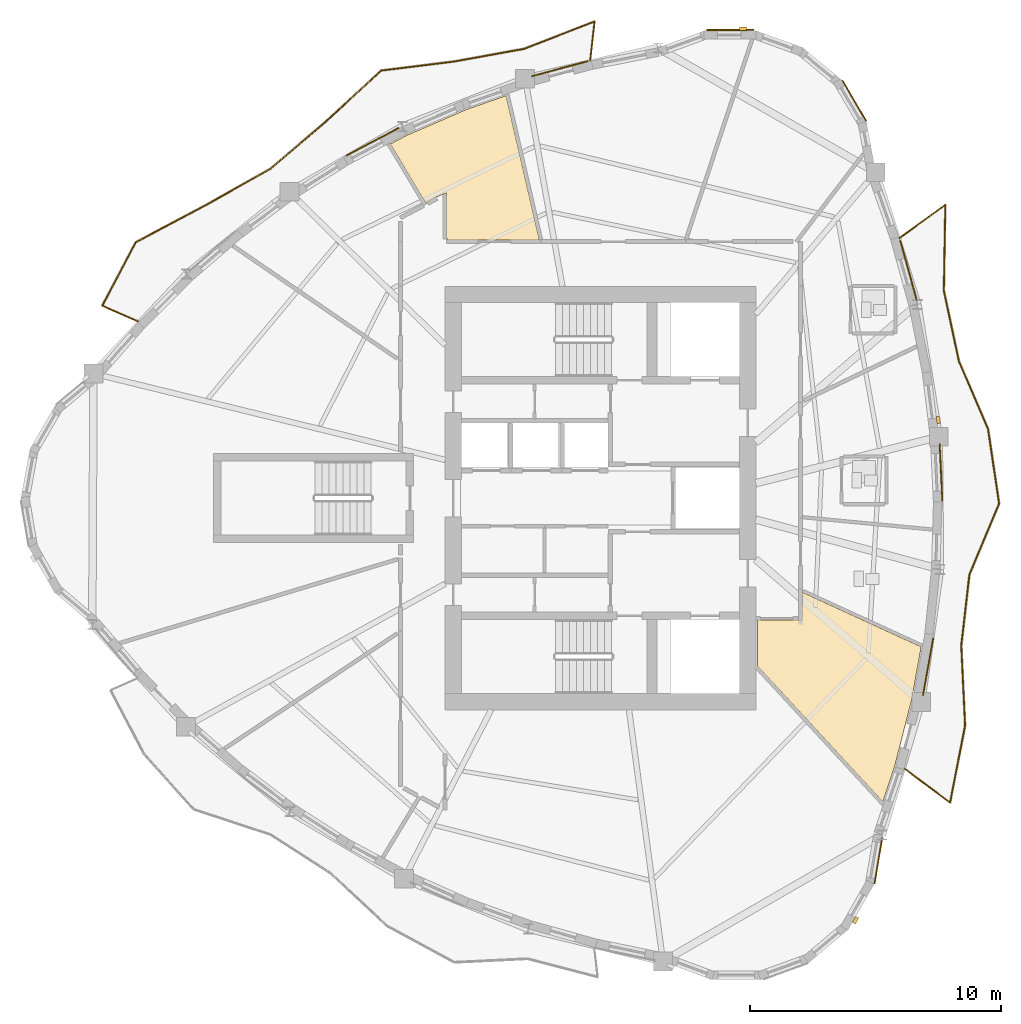
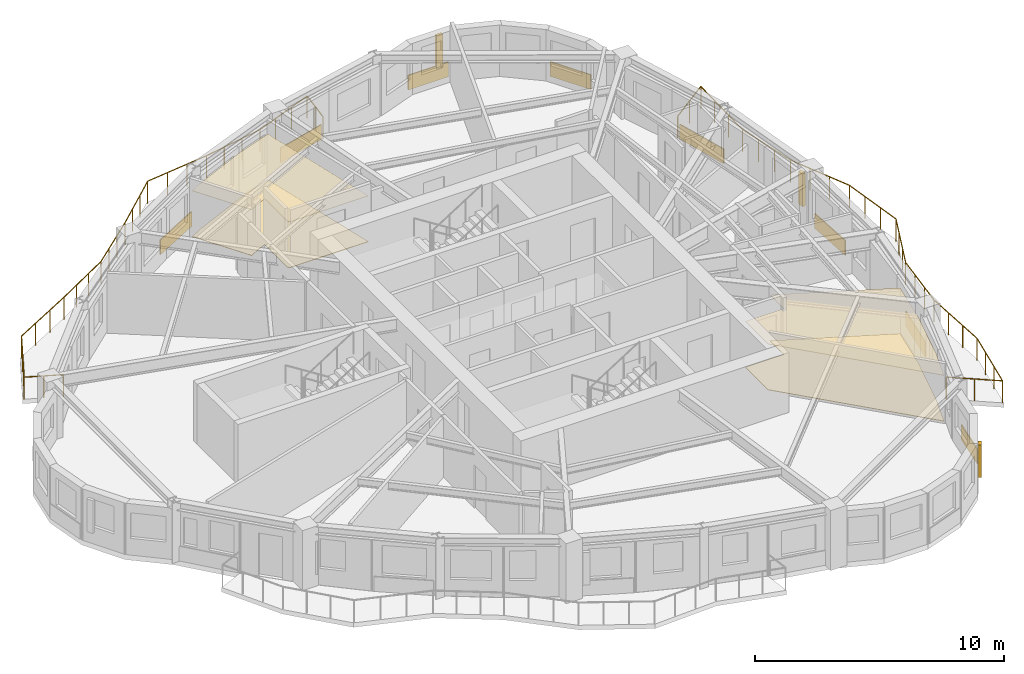
# One storey, part 11 of 12: 12 coverings, 3 shading devices, 2 railings.
"""IFC4 building model written with IfcOpenShell, lengths in metres."""

from ifc_helpers import new_model, si_unit, direction, frame, origin, origin_2d, place, context, subcontext, project, spatial, polyline, rectangle, circle, outline, extrude, source, transform, mapped, material, layer, layer_set, type_object, element, save


model = new_model("IFC4")

# Units and contexts
model_context = context("Model", 3, precision=1e-05, world=origin(), true_north=direction((0.0, 1.0)))
body_context = subcontext(model_context, "Body", "Model", "MODEL_VIEW")
ifc_project = project(units=[si_unit("LENGTHUNIT", "METRE"), si_unit("AREAUNIT", "SQUARE_METRE"), si_unit("VOLUMEUNIT", "CUBIC_METRE"), si_unit("PLANEANGLEUNIT", "RADIAN"), si_unit("MASSUNIT", "GRAM", prefix="KILO")], contexts=[model_context])

# Site, building, storey
site_placement = place(None, origin())
site = spatial("IfcSite", under=ifc_project, at=site_placement, CompositionType="ELEMENT")
building_placement = place(site_placement, origin())
building = spatial("IfcBuilding", under=site, at=building_placement, Name="Qafzar Sky-Pleat Residences", CompositionType="ELEMENT")
storey_placement = place(building_placement, frame((0.0, 0.0, 149.0)))
storey = spatial("IfcBuildingStorey", under=building, at=storey_placement, Name="L44", CompositionType="ELEMENT", Elevation=149.0)

# Coverings
ifc_material_1 = material(Name="Perforated acoustic gypsum board ceiling")
ifc_layer_1 = layer(ifc_material_1, 0.02001953125)
ifc_layer_set_1 = layer_set([ifc_layer_1], Name="Perforated acoustic gypsum board ceiling")
covering_type_1 = type_object("IfcCoveringType", Name="COV-CEIL-ACOUSTIC", PredefinedType="CEILING", material=ifc_layer_set_1)
covering_1_placement = place(storey_placement, frame((0.0, 0.0, 2.239990234375)))
element("IfcCovering", 1, at=covering_1_placement, inside=storey, type_object=covering_type_1, Name="L44 Communal Kitchen Acoustic Ceiling", PredefinedType="CEILING", context=body_context, shape_type="SweptSolid", body=[
    extrude(outline(polyline([(22.614013671875, 40.470703125), (24.9873046875, 41.50244140625), (26.584228515625, 42.059814453125), (27.9150390625, 36.2900390625), (24.2666015625, 36.2900390625), (24.2099609375, 36.384521484375), (24.2099609375, 38.1875), (23.797119140625, 38.008056640625), (23.373046875, 37.7841796875), (21.969970703125, 40.130615234375), (22.614013671875, 40.470703125)])), origin(), (0.0, 0.0, 1.0), 0.02001953125),
])
covering_2_placement = place(storey_placement, frame((0.0, 0.0, 2.239990234375)))
element("IfcCovering", 2, at=covering_2_placement, inside=storey, type_object=covering_type_1, Name="L44 Co-Living Lounge Acoustic Ceiling", PredefinedType="CEILING", context=body_context, shape_type="SweptSolid", body=[
    extrude(outline(polyline([(42.768798828125, 17.944580078125), (42.097900390625, 15.31982421875), (41.62109375, 13.880615234375), (36.610107421875, 19.30810546875), (36.610107421875, 21.139892578125), (38.389892578125, 21.139892578125), (38.389892578125, 22.246337890625), (43.150390625, 20.06298828125), (42.768798828125, 17.944580078125)])), origin(), (0.0, 0.0, 1.0), 0.02001953125),
])
ifc_material_2 = material(Name="Honed porcelain and Riyadh stone tile flooring", Category="masonry")
ifc_layer_2 = layer(ifc_material_2, 0.02001953125)
ifc_layer_set_2 = layer_set([ifc_layer_2], Name="Honed porcelain and Riyadh stone tile flooring")
covering_type_2 = type_object("IfcCoveringType", Name="COV-FLR-PORCELAIN", PredefinedType="FLOORING", material=ifc_layer_set_2)
covering_3_placement = place(storey_placement, origin())
element("IfcCovering", 3, at=covering_3_placement, inside=storey, type_object=covering_type_2, Name="L44 Communal Kitchen Honed Stone Flooring", PredefinedType="FLOORING", context=body_context, shape_type="SweptSolid", body=[
    extrude(outline(polyline([(22.614013671875, 40.470703125), (24.9873046875, 41.50244140625), (26.584228515625, 42.059814453125), (27.9150390625, 36.2900390625), (24.2666015625, 36.2900390625), (24.2099609375, 36.384521484375), (24.2099609375, 38.1875), (23.797119140625, 38.008056640625), (23.373046875, 37.7841796875), (21.969970703125, 40.130615234375), (22.614013671875, 40.470703125)])), origin(), (0.0, 0.0, 1.0), 0.02001953125),
])
covering_4_placement = place(storey_placement, origin())
element("IfcCovering", 4, at=covering_4_placement, inside=storey, type_object=covering_type_2, Name="L44 Co-Living Lounge Honed Stone Flooring", PredefinedType="FLOORING", context=body_context, shape_type="SweptSolid", body=[
    extrude(outline(polyline([(42.768798828125, 17.944580078125), (42.097900390625, 15.31982421875), (41.62109375, 13.880615234375), (36.610107421875, 19.30810546875), (36.610107421875, 21.139892578125), (38.389892578125, 21.139892578125), (38.389892578125, 22.246337890625), (43.150390625, 20.06298828125), (42.768798828125, 17.944580078125)])), origin(), (0.0, 0.0, 1.0), 0.02001953125),
])

# Shading devices
ifc_material_3 = material(Name="Honed Riyadh limestone solar fin", Category="masonry")
ifc_layer_3 = layer(ifc_material_3, 0.139892578125)
ifc_layer_set_3 = layer_set([ifc_layer_3], Name="Honed Riyadh limestone solar fin")
shading_device_type = type_object("IfcShadingDeviceType", Name="SHD-FIN-STONE", PredefinedType="SHUTTER", material=ifc_layer_set_3)
shared_shape_1 = source(origin(), body_context, "Body", "SweptSolid", [
    extrude(rectangle(XDim=0.139892578125, YDim=0.280029296875, at=origin_2d()), origin(), (0.0, 0.0, 1.0), 1.60009765625),
])
for number, where, z_axis, x_axis, name in (
    (5, (40.53369140625, 9.155517578125, 0.599853515625), (0.0, 0.0, 1.0), (0.868430786621, -0.495810416236, 0.0), "L44 Limestone Solar Fin 21"),
    (6, (43.834716796875, 29.11767578125, 0.599853515625), (0.0, 0.0, 1.0), (0.992425702068, 0.122846350678, 0.0), "L44 Limestone Solar Fin 29"),
    (7, (36.04345703125, 44.72509765625, 0.599853515625), (0.0, 0.0, 1.0), (-0.002443761091, 0.999997014011, 0.0), "L44 Limestone Solar Fin 37"),
):
    element("IfcShadingDevice", number, at=place(storey_placement, frame(where, z_axis=z_axis, x_axis=x_axis)), inside=storey, type_object=shading_device_type, Name=name, PredefinedType="SHUTTER", context=body_context, shape_type="MappedRepresentation", body=[
        mapped(shared_shape_1, transform((0.0, 0.0, 0.0), x_axis=(1.0, 0.0, 0.0), y_axis=(0.0, 1.0, 0.0), z_axis=(0.0, 0.0, 1.0), scale=1.0)),
    ])

# Coverings
ifc_material_4 = material(Name="Honed Riyadh Tuwaiq limestone cladding", Category="masonry")
ifc_layer_4 = layer(ifc_material_4, 0.044921875)
ifc_layer_set_4 = layer_set([ifc_layer_4], Name="Honed Riyadh Tuwaiq limestone cladding")
covering_type_3 = type_object("IfcCoveringType", Name="COV-CLAD-STONE", PredefinedType="CLADDING", material=ifc_layer_set_4)
shared_shape_2 = source(origin(), body_context, "Body", "SweptSolid", [
    extrude(rectangle(XDim=1.873046875, YDim=0.044921875, at=origin_2d()), origin(), (0.0, 0.0, 1.0), 0.719970703125),
])
for number, where, z_axis, x_axis, name in (
    (8, (40.484130859375, 41.849609375, 0.02001953125), (0.0, 0.0, 1.0), (-0.50623242321, 0.862397085855, 0.0), "L44 Riyadh Limestone Spandrel Cladding 34"),
    (9, (35.52490234375, 44.680908203125, 0.02001953125), (0.0, 0.0, 1.0), (-0.999996997227, -0.002450619708, 0.0), "L44 Riyadh Limestone Spandrel Cladding 37"),
):
    element("IfcCovering", number, at=place(storey_placement, frame(where, z_axis=z_axis, x_axis=x_axis)), inside=storey, type_object=covering_type_3, Name=name, PredefinedType="CLADDING", context=body_context, shape_type="MappedRepresentation", body=[
        mapped(shared_shape_2, transform((0.0, 0.0, 0.0), x_axis=(1.0, 0.0, 0.0), y_axis=(0.0, 1.0, 0.0), z_axis=(0.0, 0.0, 1.0), scale=1.0)),
    ])
shared_shape_3 = source(origin(), body_context, "Body", "SweptSolid", [
    extrude(rectangle(XDim=1.845703125, YDim=0.044921875, at=origin_2d()), origin(), (0.0, 0.0, 1.0), 0.719970703125),
])
covering_5_placement = place(storey_placement, frame((41.44189453125, 11.5224609375, 0.02001953125), z_axis=(0.0, 0.0, 1.0), x_axis=(0.165695669574, 0.986176933965, 0.0)))
element("IfcCovering", 10, at=covering_5_placement, inside=storey, type_object=covering_type_3, Name="L44 Riyadh Limestone Spandrel Cladding 22", PredefinedType="CLADDING", context=body_context, shape_type="MappedRepresentation", body=[
    mapped(shared_shape_3, transform((0.0, 0.0, 0.0), x_axis=(1.0, 0.0, 0.0), y_axis=(0.0, 1.0, 0.0), z_axis=(0.0, 0.0, 1.0), scale=1.0)),
])

# Railings
ifc_material_5 = material(Name="Laminated glass and bronze steel balustrade", Category="steel")
railing_type = type_object("IfcRailingType", Name="RAIL-BAL-1100", PredefinedType="BALUSTRADE", material=ifc_material_5)
shared_shape_4 = source(origin(), body_context, "Body", "SweptSolid", [
    extrude(circle(Radius=0.02392578125, at=origin_2d()), frame((0.0, 0.0, 1.076171875), z_axis=(0.801738370119, -0.597675150796, 0.0), x_axis=(0.597675150796, 0.801738370119, 0.0)), (0.0, 0.0, 1.0), 2.270751953125),
    extrude(circle(Radius=0.02392578125, at=origin_2d()), frame((1.820556640625, -1.357177734375, 1.076171875), z_axis=(0.191812510841, 0.981431587369, 0.0), x_axis=(-0.981431587369, 0.191812510841, 0.0)), (0.0, 0.0, 1.0), 3.13232421875),
    extrude(circle(Radius=0.02392578125, at=origin_2d()), frame((2.42138671875, 1.717041015625, 1.076171875), z_axis=(-0.047909482619, 0.99885168142, 0.0), x_axis=(-0.99885168142, -0.047909482619, 0.0)), (0.0, 0.0, 1.0), 3.2001953125),
    extrude(circle(Radius=0.02392578125, at=origin_2d()), frame((2.26806640625, 4.91357421875, 1.076171875), z_axis=(0.113889523289, 0.993493420454, 0.0), x_axis=(-0.993493420454, 0.113889523289, 0.0)), (0.0, 0.0, 1.0), 2.85107421875),
    extrude(circle(Radius=0.02392578125, at=origin_2d()), frame((2.5927734375, 7.74609375, 1.076171875), z_axis=(0.386910202033, 0.922117397929, 0.0), x_axis=(-0.922117397929, 0.386910202033, 0.0)), (0.0, 0.0, 1.0), 3.0654296875),
    extrude(circle(Radius=0.02392578125, at=origin_2d()), frame((3.77880859375, 10.57275390625, 1.076171875), z_axis=(-0.146907517821, 0.98915023187, 0.0), x_axis=(-0.98915023187, -0.146907517821, 0.0)), (0.0, 0.0, 1.0), 3.008056640625),
    extrude(circle(Radius=0.02392578125, at=origin_2d()), frame((3.3369140625, 13.548095703125, 1.076171875), z_axis=(-0.39447898489, 0.918904962703, 0.0), x_axis=(-0.918904962703, -0.39447898489, 0.0)), (0.0, 0.0, 1.0), 2.94775390625),
    extrude(circle(Radius=0.02392578125, at=origin_2d()), frame((2.174072265625, 16.2568359375, 1.076171875), z_axis=(-0.208891662036, 0.977938788234, 0.0), x_axis=(-0.977938788234, -0.208891662036, 0.0)), (0.0, 0.0, 1.0), 2.87744140625),
    extrude(circle(Radius=0.02392578125, at=origin_2d()), frame((1.572998046875, 19.07080078125, 1.076171875), z_axis=(0.017554871882, 0.999845901363, 0.0), x_axis=(-0.999845901363, 0.017554871882, 0.0)), (0.0, 0.0, 1.0), 3.43505859375),
    extrude(circle(Radius=0.02392578125, at=origin_2d()), frame((1.63330078125, 22.50537109375, 1.076171875), z_axis=(-0.809028881975, -0.587768890067, 0.0), x_axis=(0.587768890067, -0.809028881975, 0.0)), (0.0, 0.0, 1.0), 2.270751953125),
    extrude(circle(Radius=0.02099609375, at=origin_2d()), origin(), (0.0, 0.0, 1.0), 1.052001953125),
    extrude(circle(Radius=0.02099609375, at=origin_2d()), frame((0.91015625, -0.6787109375, 0.0)), (0.0, 0.0, 1.0), 1.052001953125),
    extrude(circle(Radius=0.02099609375, at=origin_2d()), frame((1.820556640625, -1.357177734375, 0.0)), (0.0, 0.0, 1.0), 1.052001953125),
    extrude(circle(Radius=0.02099609375, at=origin_2d()), frame((2.020751953125, -0.33251953125, 0.0)), (0.0, 0.0, 1.0), 1.052001953125),
    extrude(circle(Radius=0.02099609375, at=origin_2d()), frame((2.22119140625, 0.6923828125, 0.0)), (0.0, 0.0, 1.0), 1.052001953125),
    extrude(circle(Radius=0.02099609375, at=origin_2d()), frame((2.42138671875, 1.717041015625, 0.0)), (0.0, 0.0, 1.0), 1.052001953125),
    extrude(circle(Radius=0.02099609375, at=origin_2d()), frame((2.370361328125, 2.782470703125, 0.0)), (0.0, 0.0, 1.0), 1.052001953125),
    extrude(circle(Radius=0.02099609375, at=origin_2d()), frame((2.319091796875, 3.84814453125, 0.0)), (0.0, 0.0, 1.0), 1.052001953125),
    extrude(circle(Radius=0.02099609375, at=origin_2d()), frame((2.26806640625, 4.91357421875, 0.0)), (0.0, 0.0, 1.0), 1.052001953125),
    extrude(circle(Radius=0.02099609375, at=origin_2d()), frame((2.376220703125, 5.857666015625, 0.0)), (0.0, 0.0, 1.0), 1.052001953125),
    extrude(circle(Radius=0.02099609375, at=origin_2d()), frame((2.484619140625, 6.802001953125, 0.0)), (0.0, 0.0, 1.0), 1.052001953125),
    extrude(circle(Radius=0.02099609375, at=origin_2d()), frame((2.5927734375, 7.74609375, 0.0)), (0.0, 0.0, 1.0), 1.052001953125),
    extrude(circle(Radius=0.02099609375, at=origin_2d()), frame((2.988037109375, 8.688232421875, 0.0)), (0.0, 0.0, 1.0), 1.052001953125),
    extrude(circle(Radius=0.02099609375, at=origin_2d()), frame((3.383544921875, 9.630615234375, 0.0)), (0.0, 0.0, 1.0), 1.052001953125),
    extrude(circle(Radius=0.02099609375, at=origin_2d()), frame((3.77880859375, 10.57275390625, 0.0)), (0.0, 0.0, 1.0), 1.052001953125),
    extrude(circle(Radius=0.02099609375, at=origin_2d()), frame((3.631591796875, 11.564453125, 0.0)), (0.0, 0.0, 1.0), 1.052001953125),
    extrude(circle(Radius=0.02099609375, at=origin_2d()), frame((3.484130859375, 12.556396484375, 0.0)), (0.0, 0.0, 1.0), 1.052001953125),
    extrude(circle(Radius=0.02099609375, at=origin_2d()), frame((3.3369140625, 13.548095703125, 0.0)), (0.0, 0.0, 1.0), 1.052001953125),
    extrude(circle(Radius=0.02099609375, at=origin_2d()), frame((2.94921875, 14.450927734375, 0.0)), (0.0, 0.0, 1.0), 1.052001953125),
    extrude(circle(Radius=0.02099609375, at=origin_2d()), frame((2.561767578125, 15.35400390625, 0.0)), (0.0, 0.0, 1.0), 1.052001953125),
    extrude(circle(Radius=0.02099609375, at=origin_2d()), frame((2.174072265625, 16.2568359375, 0.0)), (0.0, 0.0, 1.0), 1.052001953125),
    extrude(circle(Radius=0.02099609375, at=origin_2d()), frame((1.9736328125, 17.19482421875, 0.0)), (0.0, 0.0, 1.0), 1.052001953125),
    extrude(circle(Radius=0.02099609375, at=origin_2d()), frame((1.7734375, 18.1328125, 0.0)), (0.0, 0.0, 1.0), 1.052001953125),
    extrude(circle(Radius=0.02099609375, at=origin_2d()), frame((1.572998046875, 19.07080078125, 0.0)), (0.0, 0.0, 1.0), 1.052001953125),
    extrude(circle(Radius=0.02099609375, at=origin_2d()), frame((1.593017578125, 20.215576171875, 0.0)), (0.0, 0.0, 1.0), 1.052001953125),
    extrude(circle(Radius=0.02099609375, at=origin_2d()), frame((1.61328125, 21.360595703125, 0.0)), (0.0, 0.0, 1.0), 1.052001953125),
    extrude(circle(Radius=0.02099609375, at=origin_2d()), frame((1.63330078125, 22.50537109375, 0.0)), (0.0, 0.0, 1.0), 1.052001953125),
    extrude(circle(Radius=0.02099609375, at=origin_2d()), frame((0.71484375, 21.837890625, 0.0)), (0.0, 0.0, 1.0), 1.052001953125),
    extrude(circle(Radius=0.02099609375, at=origin_2d()), frame((-0.203857421875, 21.170654296875, 0.0)), (0.0, 0.0, 1.0), 1.052001953125),
])
railing_1_placement = place(storey_placement, frame((42.48193359375, 15.202880859375, 0.0)))
element("IfcRailing", 11, at=railing_1_placement, inside=storey, type_object=railing_type, Name="L44 Pleated Balcony 1 Balustrade", PredefinedType="BALUSTRADE", context=body_context, shape_type="MappedRepresentation", body=[
    mapped(shared_shape_4, transform((0.0, 0.0, 0.0), x_axis=(1.0, 0.0, 0.0), y_axis=(0.0, 1.0, 0.0), z_axis=(0.0, 0.0, 1.0), scale=1.0)),
])
shared_shape_5 = source(origin(), body_context, "Body", "SweptSolid", [
    extrude(circle(Radius=0.02392578125, at=origin_2d()), frame((0.0, 0.0, 1.076171875), z_axis=(0.110618309262, 0.993862963218, 0.0), x_axis=(-0.993862963218, 0.110618309262, 0.0)), (0.0, 0.0, 1.0), 1.578125),
    extrude(circle(Radius=0.02392578125, at=origin_2d()), frame((0.174560546875, 1.568359375, 1.076171875), z_axis=(-0.932479533702, -0.361222811056, 0.0), x_axis=(0.361222811056, -0.932479533702, 0.0)), (0.0, 0.0, 1.0), 3.0244140625),
    extrude(circle(Radius=0.02392578125, at=origin_2d()), frame((-2.645751953125, 0.475830078125, 1.076171875), z_axis=(-0.983907450095, -0.178678844993, 0.0), x_axis=(0.178678844993, -0.983907450095, 0.0)), (0.0, 0.0, 1.0), 2.807861328125),
    extrude(circle(Radius=0.02392578125, at=origin_2d()), frame((-5.408447265625, -0.02587890625, 1.076171875), z_axis=(-0.992323623846, -0.12366820754, 0.0), x_axis=(0.12366820754, -0.992323623846, 0.0)), (0.0, 0.0, 1.0), 2.951416015625),
    extrude(circle(Radius=0.02392578125, at=origin_2d()), frame((-8.337158203125, -0.390869140625, 1.076171875), z_axis=(-0.736138828118, -0.676830573879, 0.0), x_axis=(0.676830573879, -0.736138828118, 0.0)), (0.0, 0.0, 1.0), 3.066650390625),
    extrude(circle(Radius=0.02392578125, at=origin_2d()), frame((-10.5947265625, -2.466552734375, 1.076171875), z_axis=(-0.761156865592, -0.648567826802, 0.0), x_axis=(0.648567826802, -0.761156865592, 0.0)), (0.0, 0.0, 1.0), 2.8427734375),
    extrude(circle(Radius=0.02392578125, at=origin_2d()), frame((-12.758544921875, -4.310302734375, 1.076171875), z_axis=(-0.872004474048, -0.489497903203, 0.0), x_axis=(0.489497903203, -0.872004474048, 0.0)), (0.0, 0.0, 1.0), 2.916259765625),
    extrude(circle(Radius=0.02392578125, at=origin_2d()), frame((-15.301513671875, -5.73779296875, 1.076171875), z_axis=(-0.883474524435, -0.468479204101, 0.0), x_axis=(0.468479204101, -0.883474524435, 0.0)), (0.0, 0.0, 1.0), 3.204345703125),
    extrude(circle(Radius=0.02392578125, at=origin_2d()), frame((-18.132568359375, -7.239013671875, 1.076171875), z_axis=(-0.46738333082, -0.884054761919, 0.0), x_axis=(0.884054761919, -0.46738333082, 0.0)), (0.0, 0.0, 1.0), 2.869384765625),
    extrude(circle(Radius=0.02392578125, at=origin_2d()), frame((-19.4736328125, -9.775634765625, 1.076171875), z_axis=(0.916011699068, -0.401151551374, 0.0), x_axis=(0.401151551374, 0.916011699068, 0.0)), (0.0, 0.0, 1.0), 1.578125),
    extrude(circle(Radius=0.02099609375, at=origin_2d()), origin(), (0.0, 0.0, 1.0), 1.052001953125),
    extrude(circle(Radius=0.02099609375, at=origin_2d()), frame((0.08740234375, 0.7841796875, 0.0)), (0.0, 0.0, 1.0), 1.052001953125),
    extrude(circle(Radius=0.02099609375, at=origin_2d()), frame((0.174560546875, 1.568359375, 0.0)), (0.0, 0.0, 1.0), 1.052001953125),
    extrude(circle(Radius=0.02099609375, at=origin_2d()), frame((-0.765625, 1.2041015625, 0.0)), (0.0, 0.0, 1.0), 1.052001953125),
    extrude(circle(Radius=0.02099609375, at=origin_2d()), frame((-1.70556640625, 0.840087890625, 0.0)), (0.0, 0.0, 1.0), 1.052001953125),
    extrude(circle(Radius=0.02099609375, at=origin_2d()), frame((-2.645751953125, 0.475830078125, 0.0)), (0.0, 0.0, 1.0), 1.052001953125),
    extrude(circle(Radius=0.02099609375, at=origin_2d()), frame((-3.566650390625, 0.30859375, 0.0)), (0.0, 0.0, 1.0), 1.052001953125),
    extrude(circle(Radius=0.02099609375, at=origin_2d()), frame((-4.487548828125, 0.141357421875, 0.0)), (0.0, 0.0, 1.0), 1.052001953125),
    extrude(circle(Radius=0.02099609375, at=origin_2d()), frame((-5.408447265625, -0.02587890625, 0.0)), (0.0, 0.0, 1.0), 1.052001953125),
    extrude(circle(Radius=0.02099609375, at=origin_2d()), frame((-6.384765625, -0.1474609375, 0.0)), (0.0, 0.0, 1.0), 1.052001953125),
    extrude(circle(Radius=0.02099609375, at=origin_2d()), frame((-7.36083984375, -0.269287109375, 0.0)), (0.0, 0.0, 1.0), 1.052001953125),
    extrude(circle(Radius=0.02099609375, at=origin_2d()), frame((-8.337158203125, -0.390869140625, 0.0)), (0.0, 0.0, 1.0), 1.052001953125),
    extrude(circle(Radius=0.02099609375, at=origin_2d()), frame((-9.089599609375, -1.082763671875, 0.0)), (0.0, 0.0, 1.0), 1.052001953125),
    extrude(circle(Radius=0.02099609375, at=origin_2d()), frame((-9.84228515625, -1.774658203125, 0.0)), (0.0, 0.0, 1.0), 1.052001953125),
    extrude(circle(Radius=0.02099609375, at=origin_2d()), frame((-10.5947265625, -2.466552734375, 0.0)), (0.0, 0.0, 1.0), 1.052001953125),
    extrude(circle(Radius=0.02099609375, at=origin_2d()), frame((-11.31591796875, -3.0810546875, 0.0)), (0.0, 0.0, 1.0), 1.052001953125),
    extrude(circle(Radius=0.02099609375, at=origin_2d()), frame((-12.037353515625, -3.69580078125, 0.0)), (0.0, 0.0, 1.0), 1.052001953125),
    extrude(circle(Radius=0.02099609375, at=origin_2d()), frame((-12.758544921875, -4.310302734375, 0.0)), (0.0, 0.0, 1.0), 1.052001953125),
    extrude(circle(Radius=0.02099609375, at=origin_2d()), frame((-13.606201171875, -4.7861328125, 0.0)), (0.0, 0.0, 1.0), 1.052001953125),
    extrude(circle(Radius=0.02099609375, at=origin_2d()), frame((-14.453857421875, -5.261962890625, 0.0)), (0.0, 0.0, 1.0), 1.052001953125),
    extrude(circle(Radius=0.02099609375, at=origin_2d()), frame((-15.301513671875, -5.73779296875, 0.0)), (0.0, 0.0, 1.0), 1.052001953125),
    extrude(circle(Radius=0.02099609375, at=origin_2d()), frame((-16.2451171875, -6.23828125, 0.0)), (0.0, 0.0, 1.0), 1.052001953125),
    extrude(circle(Radius=0.02099609375, at=origin_2d()), frame((-17.18896484375, -6.738525390625, 0.0)), (0.0, 0.0, 1.0), 1.052001953125),
    extrude(circle(Radius=0.02099609375, at=origin_2d()), frame((-18.132568359375, -7.239013671875, 0.0)), (0.0, 0.0, 1.0), 1.052001953125),
    extrude(circle(Radius=0.02099609375, at=origin_2d()), frame((-18.57958984375, -8.08447265625, 0.0)), (0.0, 0.0, 1.0), 1.052001953125),
    extrude(circle(Radius=0.02099609375, at=origin_2d()), frame((-19.026611328125, -8.93017578125, 0.0)), (0.0, 0.0, 1.0), 1.052001953125),
    extrude(circle(Radius=0.02099609375, at=origin_2d()), frame((-19.4736328125, -9.775634765625, 0.0)), (0.0, 0.0, 1.0), 1.052001953125),
    extrude(circle(Radius=0.02099609375, at=origin_2d()), frame((-18.7509765625, -10.09228515625, 0.0)), (0.0, 0.0, 1.0), 1.052001953125),
    extrude(circle(Radius=0.02099609375, at=origin_2d()), frame((-18.028076171875, -10.40869140625, 0.0)), (0.0, 0.0, 1.0), 1.052001953125),
])
railing_2_placement = place(storey_placement, frame((29.943359375, 43.451171875, 0.0)))
element("IfcRailing", 12, at=railing_2_placement, inside=storey, type_object=railing_type, Name="L44 Pleated Balcony 2 Balustrade", PredefinedType="BALUSTRADE", context=body_context, shape_type="MappedRepresentation", body=[
    mapped(shared_shape_5, transform((0.0, 0.0, 0.0), x_axis=(1.0, 0.0, 0.0), y_axis=(0.0, 1.0, 0.0), z_axis=(0.0, 0.0, 1.0), scale=1.0)),
])

# Coverings
shared_shape_6 = source(origin(), body_context, "Body", "SweptSolid", [
    extrude(rectangle(XDim=2.3173828125, YDim=0.044921875, at=origin_2d()), origin(), (0.0, 0.0, 1.0), 0.719970703125),
])
covering_6_placement = place(storey_placement, frame((43.427490234375, 19.277099609375, 0.02001953125), z_axis=(0.0, 0.0, 1.0), x_axis=(0.177176321784, 0.984179125464, 0.0)))
element("IfcCovering", 13, at=covering_6_placement, inside=storey, type_object=covering_type_3, Name="L44 Riyadh Limestone Spandrel Cladding 25", PredefinedType="CLADDING", context=body_context, shape_type="MappedRepresentation", body=[
    mapped(shared_shape_6, transform((0.0, 0.0, 0.0), x_axis=(1.0, 0.0, 0.0), y_axis=(0.0, 1.0, 0.0), z_axis=(0.0, 0.0, 1.0), scale=1.0)),
])
shared_shape_7 = source(origin(), body_context, "Body", "SweptSolid", [
    extrude(rectangle(XDim=2.276611328125, YDim=0.044921875, at=origin_2d()), origin(), (0.0, 0.0, 1.0), 0.719970703125),
])
covering_7_placement = place(storey_placement, frame((43.94189453125, 27.0302734375, 0.02001953125), z_axis=(0.0, 0.0, 1.0), x_axis=(-0.047597079458, 0.998866616735, 0.0)))
element("IfcCovering", 14, at=covering_7_placement, inside=storey, type_object=covering_type_3, Name="L44 Riyadh Limestone Spandrel Cladding 28", PredefinedType="CLADDING", context=body_context, shape_type="MappedRepresentation", body=[
    mapped(shared_shape_7, transform((0.0, 0.0, 0.0), x_axis=(1.0, 0.0, 0.0), y_axis=(0.0, 1.0, 0.0), z_axis=(0.0, 0.0, 1.0), scale=1.0)),
])
shared_shape_8 = source(origin(), body_context, "Body", "SweptSolid", [
    extrude(rectangle(XDim=2.47900390625, YDim=0.044921875, at=origin_2d()), origin(), (0.0, 0.0, 1.0), 0.719970703125),
])
covering_8_placement = place(storey_placement, frame((42.646240234375, 35.081298828125, 0.02001953125), z_axis=(0.0, 0.0, 1.0), x_axis=(-0.266362894968, 0.963872817432, 0.0)))
element("IfcCovering", 15, at=covering_8_placement, inside=storey, type_object=covering_type_3, Name="L44 Riyadh Limestone Spandrel Cladding 31", PredefinedType="CLADDING", context=body_context, shape_type="MappedRepresentation", body=[
    mapped(shared_shape_8, transform((0.0, 0.0, 0.0), x_axis=(1.0, 0.0, 0.0), y_axis=(0.0, 1.0, 0.0), z_axis=(0.0, 0.0, 1.0), scale=1.0)),
])
shared_shape_9 = source(origin(), body_context, "Body", "SweptSolid", [
    extrude(rectangle(XDim=2.31640625, YDim=0.044921875, at=origin_2d()), origin(), (0.0, 0.0, 1.0), 0.719970703125),
])
covering_9_placement = place(storey_placement, frame((28.73046875, 43.135009765625, 0.02001953125), z_axis=(0.0, 0.0, 1.0), x_axis=(-0.965460656968, -0.260548881877, 0.0)))
element("IfcCovering", 16, at=covering_9_placement, inside=storey, type_object=covering_type_3, Name="L44 Riyadh Limestone Spandrel Cladding 40", PredefinedType="CLADDING", context=body_context, shape_type="MappedRepresentation", body=[
    mapped(shared_shape_9, transform((0.0, 0.0, 0.0), x_axis=(1.0, 0.0, 0.0), y_axis=(0.0, 1.0, 0.0), z_axis=(0.0, 0.0, 1.0), scale=1.0)),
])
shared_shape_10 = source(origin(), body_context, "Body", "SweptSolid", [
    extrude(rectangle(XDim=2.358154296875, YDim=0.044921875, at=origin_2d()), origin(), (0.0, 0.0, 1.0), 0.719970703125),
])
covering_10_placement = place(storey_placement, frame((21.25830078125, 40.220947265625, 0.02001953125), z_axis=(0.0, 0.0, 1.0), x_axis=(-0.884396130173, -0.466737061883, 0.0)))
element("IfcCovering", 17, at=covering_10_placement, inside=storey, type_object=covering_type_3, Name="L44 Riyadh Limestone Spandrel Cladding 43", PredefinedType="CLADDING", context=body_context, shape_type="MappedRepresentation", body=[
    mapped(shared_shape_10, transform((0.0, 0.0, 0.0), x_axis=(1.0, 0.0, 0.0), y_axis=(0.0, 1.0, 0.0), z_axis=(0.0, 0.0, 1.0), scale=1.0)),
])

save(model, "model.ifc")
